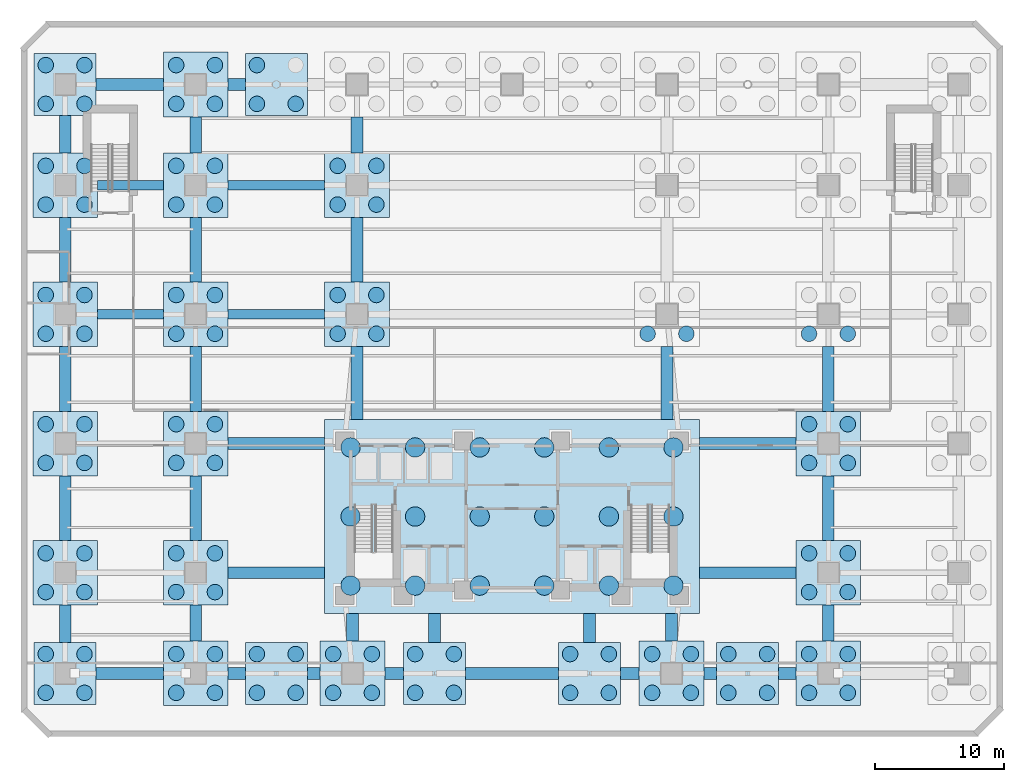
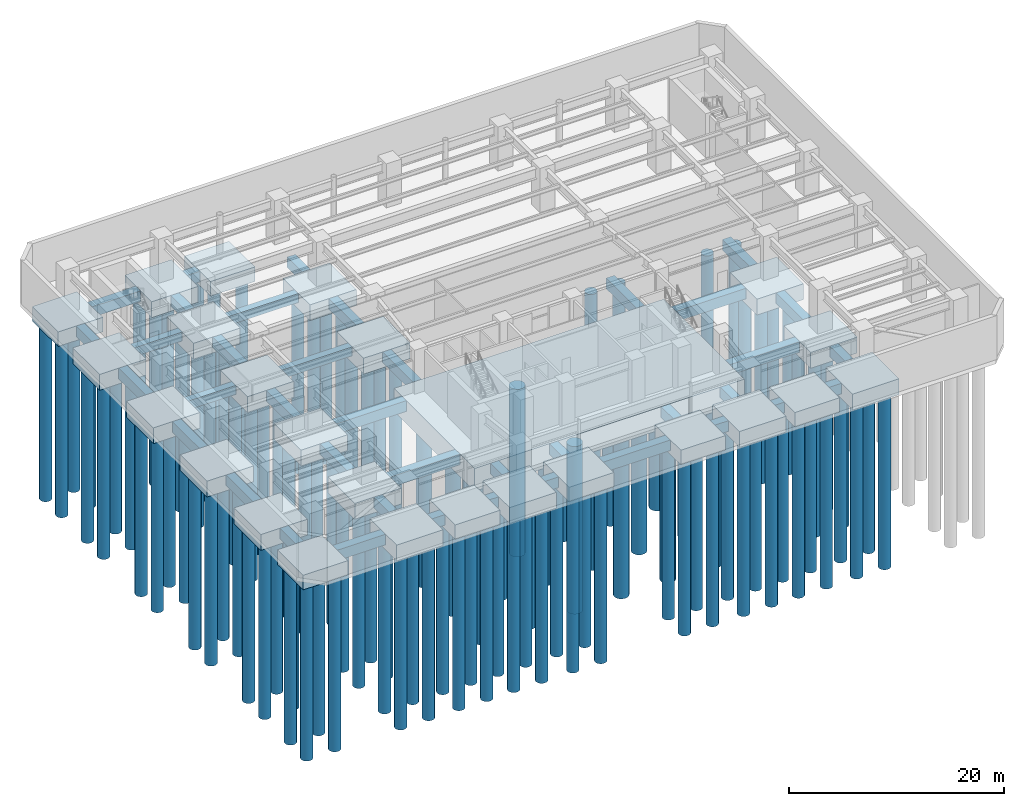
# One storey, part 1 of 15: 117 piles, 64 footings.
"""IFC4 building model written with IfcOpenShell, lengths in metres."""

from ifc_helpers import new_model, si_unit, direction, frame, origin, origin_2d, place, context, subcontext, project, spatial, rectangle, circle, extrude, material, material_profile, profile_set, type_object, element, save


model = new_model("IFC4")

# Units and contexts
model_context = context("Model", 3, precision=1e-05, world=origin(), true_north=direction((0.0, 1.0)))
body_context = subcontext(model_context, "Body", "Model", "MODEL_VIEW")
ifc_project = project(units=[si_unit("LENGTHUNIT", "METRE"), si_unit("AREAUNIT", "SQUARE_METRE"), si_unit("VOLUMEUNIT", "CUBIC_METRE"), si_unit("PLANEANGLEUNIT", "RADIAN"), si_unit("MASSUNIT", "GRAM", prefix="KILO")], contexts=[model_context])

# Site, building, storey
site_placement = place(None, origin())
site = spatial("IfcSite", under=ifc_project, at=site_placement, CompositionType="ELEMENT")
building_placement = place(site_placement, origin())
building = spatial("IfcBuilding", under=site, at=building_placement, Name="Quenlor Broadcast Tower", CompositionType="ELEMENT")
storey_placement = place(building_placement, frame((0.0, 0.0, -10.0)))
storey = spatial("IfcBuildingStorey", under=building, at=storey_placement, Name="B02", CompositionType="ELEMENT", Elevation=-10.0)

# Piles
ifc_material_1 = material(Name="Concrete C50/60", Category="concrete")
ifc_material_profile_1 = material_profile(ifc_material_1, circle(Radius=0.60009765625, at=origin_2d()))
ifc_profile_set_1 = profile_set([ifc_material_profile_1], Name="Concrete C50/60 PILE1200")
pile_type_1 = type_object("IfcPileType", Name="Bored Concrete C50/60 Foundation Pile D1200", PredefinedType="BORED", material=ifc_profile_set_1)
for number, where, z_axis, x_axis, name in (
    (1, (-36.10009765625, -24.300048828125, -2.0), (0.0, 0.0, -1.0), (1.0, 0.0, 0.0), "Bored Pile P2-001"),
    (2, (-36.10009765625, -21.300048828125, -2.0), (0.0, 0.0, -1.0), (1.0, 0.0, 0.0), "Bored Pile P2-002"),
    (3, (-33.10009765625, -24.300048828125, -2.0), (0.0, 0.0, -1.0), (1.0, 0.0, 0.0), "Bored Pile P2-003"),
    (4, (-33.10009765625, -21.300048828125, -2.0), (0.0, 0.0, -1.0), (1.0, 0.0, 0.0), "Bored Pile P2-004"),
):
    element("IfcPile", number, at=place(storey_placement, frame(where, z_axis=z_axis, x_axis=x_axis)), inside=storey, type_object=pile_type_1, Name=name, PredefinedType="BORED", context=body_context, shape_type="SweptSolid", body=[
        extrude(circle(Radius=0.60009765625, at=origin_2d()), origin(), (0.0, 0.0, 1.0), 20.0),
    ])
for number, where, z_axis, x_axis, name in (
    (5, (-26.0, -24.300048828125, -2.14990234375), (0.0, 0.0, -1.0), (1.0, 0.0, 0.0), "Bored Pile P2-005"),
    (6, (-26.0, -21.300048828125, -2.14990234375), (0.0, 0.0, -1.0), (1.0, 0.0, 0.0), "Bored Pile P2-006"),
    (7, (-23.0, -24.300048828125, -2.14990234375), (0.0, 0.0, -1.0), (1.0, 0.0, 0.0), "Bored Pile P2-007"),
    (8, (-23.0, -21.300048828125, -2.14990234375), (0.0, 0.0, -1.0), (1.0, 0.0, 0.0), "Bored Pile P2-008"),
    (9, (-13.85009765625, -24.300048828125, -2.14990234375), (0.0, 0.0, -1.0), (1.0, 0.0, 0.0), "Bored Pile P2-009"),
    (10, (-13.85009765625, -21.300048828125, -2.14990234375), (0.0, 0.0, -1.0), (1.0, 0.0, 0.0), "Bored Pile P2-010"),
    (11, (-10.85009765625, -24.300048828125, -2.14990234375), (0.0, 0.0, -1.0), (1.0, 0.0, 0.0), "Bored Pile P2-011"),
    (12, (-10.85009765625, -21.300048828125, -2.14990234375), (0.0, 0.0, -1.0), (1.0, 0.0, 0.0), "Bored Pile P2-012"),
    (13, (10.85009765625, -24.300048828125, -2.14990234375), (0.0, 0.0, -1.0), (1.0, 0.0, 0.0), "Bored Pile P2-013"),
    (14, (10.85009765625, -21.300048828125, -2.14990234375), (0.0, 0.0, -1.0), (1.0, 0.0, 0.0), "Bored Pile P2-014"),
    (15, (13.85009765625, -24.300048828125, -2.14990234375), (0.0, 0.0, -1.0), (1.0, 0.0, 0.0), "Bored Pile P2-015"),
    (16, (13.85009765625, -21.300048828125, -2.14990234375), (0.0, 0.0, -1.0), (1.0, 0.0, 0.0), "Bored Pile P2-016"),
    (17, (23.0, -24.300048828125, -2.14990234375), (0.0, 0.0, -1.0), (1.0, 0.0, 0.0), "Bored Pile P2-017"),
    (18, (23.0, -21.300048828125, -2.14990234375), (0.0, 0.0, -1.0), (1.0, 0.0, 0.0), "Bored Pile P2-018"),
    (19, (26.0, -24.300048828125, -2.14990234375), (0.0, 0.0, -1.0), (1.0, 0.0, 0.0), "Bored Pile P2-019"),
    (20, (26.0, -21.300048828125, -2.14990234375), (0.0, 0.0, -1.0), (1.0, 0.0, 0.0), "Bored Pile P2-020"),
    (21, (-36.10009765625, -16.5, -2.14990234375), (0.0, 0.0, -1.0), (1.0, 0.0, 0.0), "Bored Pile P2-025"),
    (22, (-36.10009765625, -13.5, -2.14990234375), (0.0, 0.0, -1.0), (1.0, 0.0, 0.0), "Bored Pile P2-026"),
    (23, (-33.10009765625, -16.5, -2.14990234375), (0.0, 0.0, -1.0), (1.0, 0.0, 0.0), "Bored Pile P2-027"),
    (24, (-33.10009765625, -13.5, -2.14990234375), (0.0, 0.0, -1.0), (1.0, 0.0, 0.0), "Bored Pile P2-028"),
    (25, (-26.0, -16.5, -2.14990234375), (0.0, 0.0, -1.0), (1.0, 0.0, 0.0), "Bored Pile P2-029"),
    (26, (-26.0, -13.5, -2.14990234375), (0.0, 0.0, -1.0), (1.0, 0.0, 0.0), "Bored Pile P2-030"),
    (27, (-23.0, -16.5, -2.14990234375), (0.0, 0.0, -1.0), (1.0, 0.0, 0.0), "Bored Pile P2-031"),
    (28, (-23.0, -13.5, -2.14990234375), (0.0, 0.0, -1.0), (1.0, 0.0, 0.0), "Bored Pile P2-032"),
    (29, (23.0, -16.5, -2.14990234375), (0.0, 0.0, -1.0), (1.0, 0.0, 0.0), "Bored Pile P2-033"),
    (30, (23.0, -13.5, -2.14990234375), (0.0, 0.0, -1.0), (1.0, 0.0, 0.0), "Bored Pile P2-034"),
    (31, (26.0, -16.5, -2.14990234375), (0.0, 0.0, -1.0), (1.0, 0.0, 0.0), "Bored Pile P2-035"),
    (32, (26.0, -13.5, -2.14990234375), (0.0, 0.0, -1.0), (1.0, 0.0, 0.0), "Bored Pile P2-036"),
    (33, (-36.10009765625, -6.5, -2.14990234375), (0.0, 0.0, -1.0), (1.0, 0.0, 0.0), "Bored Pile P2-041"),
    (34, (-36.10009765625, -3.5, -2.14990234375), (0.0, 0.0, -1.0), (1.0, 0.0, 0.0), "Bored Pile P2-042"),
    (35, (-33.10009765625, -6.5, -2.14990234375), (0.0, 0.0, -1.0), (1.0, 0.0, 0.0), "Bored Pile P2-043"),
    (36, (-33.10009765625, -3.5, -2.14990234375), (0.0, 0.0, -1.0), (1.0, 0.0, 0.0), "Bored Pile P2-044"),
    (37, (-26.0, -6.5, -2.14990234375), (0.0, 0.0, -1.0), (1.0, 0.0, 0.0), "Bored Pile P2-045"),
    (38, (-26.0, -3.5, -2.14990234375), (0.0, 0.0, -1.0), (1.0, 0.0, 0.0), "Bored Pile P2-046"),
    (39, (-23.0, -6.5, -2.14990234375), (0.0, 0.0, -1.0), (1.0, 0.0, 0.0), "Bored Pile P2-047"),
    (40, (-23.0, -3.5, -2.14990234375), (0.0, 0.0, -1.0), (1.0, 0.0, 0.0), "Bored Pile P2-048"),
    (41, (23.0, -6.5, -2.14990234375), (0.0, 0.0, -1.0), (1.0, 0.0, 0.0), "Bored Pile P2-049"),
    (42, (23.0, -3.5, -2.14990234375), (0.0, 0.0, -1.0), (1.0, 0.0, 0.0), "Bored Pile P2-050"),
    (43, (26.0, -6.5, -2.14990234375), (0.0, 0.0, -1.0), (1.0, 0.0, 0.0), "Bored Pile P2-051"),
    (44, (26.0, -3.5, -2.14990234375), (0.0, 0.0, -1.0), (1.0, 0.0, 0.0), "Bored Pile P2-052"),
    (45, (-36.10009765625, 3.5, -2.14990234375), (0.0, 0.0, -1.0), (1.0, 0.0, 0.0), "Bored Pile P2-057"),
    (46, (-36.10009765625, 6.5, -2.14990234375), (0.0, 0.0, -1.0), (1.0, 0.0, 0.0), "Bored Pile P2-058"),
    (47, (-33.10009765625, 3.5, -2.14990234375), (0.0, 0.0, -1.0), (1.0, 0.0, 0.0), "Bored Pile P2-059"),
    (48, (-33.10009765625, 6.5, -2.14990234375), (0.0, 0.0, -1.0), (1.0, 0.0, 0.0), "Bored Pile P2-060"),
    (49, (-26.0, 3.5, -2.14990234375), (0.0, 0.0, -1.0), (1.0, 0.0, 0.0), "Bored Pile P2-061"),
    (50, (-26.0, 6.5, -2.14990234375), (0.0, 0.0, -1.0), (1.0, 0.0, 0.0), "Bored Pile P2-062"),
    (51, (-23.0, 3.5, -2.14990234375), (0.0, 0.0, -1.0), (1.0, 0.0, 0.0), "Bored Pile P2-063"),
    (52, (-23.0, 6.5, -2.14990234375), (0.0, 0.0, -1.0), (1.0, 0.0, 0.0), "Bored Pile P2-064"),
    (53, (-13.5, 3.5, -2.14990234375), (0.0, 0.0, -1.0), (1.0, 0.0, 0.0), "Bored Pile P2-065"),
    (54, (-13.5, 6.5, -2.14990234375), (0.0, 0.0, -1.0), (1.0, 0.0, 0.0), "Bored Pile P2-066"),
    (55, (-10.5, 3.5, -2.14990234375), (0.0, 0.0, -1.0), (1.0, 0.0, 0.0), "Bored Pile P2-067"),
    (56, (-10.5, 6.5, -2.14990234375), (0.0, 0.0, -1.0), (1.0, 0.0, 0.0), "Bored Pile P2-068"),
    (57, (10.5, 3.5, -2.14990234375), (0.0, 0.0, -1.0), (1.0, 0.0, 0.0), "Bored Pile P2-069"),
    (58, (13.5, 3.5, -2.14990234375), (0.0, 0.0, -1.0), (1.0, 0.0, 0.0), "Bored Pile P2-071"),
    (59, (23.0, 3.5, -2.14990234375), (0.0, 0.0, -1.0), (1.0, 0.0, 0.0), "Bored Pile P2-073"),
    (60, (26.0, 3.5, -2.14990234375), (0.0, 0.0, -1.0), (1.0, 0.0, 0.0), "Bored Pile P2-075"),
    (61, (-36.10009765625, 13.5, -2.14990234375), (0.0, 0.0, -1.0), (1.0, 0.0, 0.0), "Bored Pile P2-081"),
    (62, (-36.10009765625, 16.5, -2.14990234375), (0.0, 0.0, -1.0), (1.0, 0.0, 0.0), "Bored Pile P2-082"),
    (63, (-33.10009765625, 13.5, -2.14990234375), (0.0, 0.0, -1.0), (1.0, 0.0, 0.0), "Bored Pile P2-083"),
    (64, (-33.10009765625, 16.5, -2.14990234375), (0.0, 0.0, -1.0), (1.0, 0.0, 0.0), "Bored Pile P2-084"),
    (65, (-26.0, 13.5, -2.14990234375), (0.0, 0.0, -1.0), (1.0, 0.0, 0.0), "Bored Pile P2-085"),
    (66, (-26.0, 16.5, -2.14990234375), (0.0, 0.0, -1.0), (1.0, 0.0, 0.0), "Bored Pile P2-086"),
    (67, (-23.0, 13.5, -2.14990234375), (0.0, 0.0, -1.0), (1.0, 0.0, 0.0), "Bored Pile P2-087"),
    (68, (-23.0, 16.5, -2.14990234375), (0.0, 0.0, -1.0), (1.0, 0.0, 0.0), "Bored Pile P2-088"),
    (69, (-13.5, 13.5, -2.14990234375), (0.0, 0.0, -1.0), (1.0, 0.0, 0.0), "Bored Pile P2-089"),
    (70, (-13.5, 16.5, -2.14990234375), (0.0, 0.0, -1.0), (1.0, 0.0, 0.0), "Bored Pile P2-090"),
    (71, (-10.5, 13.5, -2.14990234375), (0.0, 0.0, -1.0), (1.0, 0.0, 0.0), "Bored Pile P2-091"),
    (72, (-10.5, 16.5, -2.14990234375), (0.0, 0.0, -1.0), (1.0, 0.0, 0.0), "Bored Pile P2-092"),
):
    element("IfcPile", number, at=place(storey_placement, frame(where, z_axis=z_axis, x_axis=x_axis)), inside=storey, type_object=pile_type_1, Name=name, PredefinedType="BORED", context=body_context, shape_type="SweptSolid", body=[
        extrude(circle(Radius=0.60009765625, at=origin_2d()), origin(), (0.0, 0.0, 1.0), 19.85009765625),
    ])
for number, where, z_axis, x_axis, name in (
    (73, (-36.10009765625, 21.300048828125, -2.0), (0.0, 0.0, -1.0), (1.0, 0.0, 0.0), "Bored Pile P2-105"),
    (74, (-36.10009765625, 24.300048828125, -2.0), (0.0, 0.0, -1.0), (1.0, 0.0, 0.0), "Bored Pile P2-106"),
    (75, (-33.10009765625, 21.300048828125, -2.0), (0.0, 0.0, -1.0), (1.0, 0.0, 0.0), "Bored Pile P2-107"),
    (76, (-33.10009765625, 24.300048828125, -2.0), (0.0, 0.0, -1.0), (1.0, 0.0, 0.0), "Bored Pile P2-108"),
):
    element("IfcPile", number, at=place(storey_placement, frame(where, z_axis=z_axis, x_axis=x_axis)), inside=storey, type_object=pile_type_1, Name=name, PredefinedType="BORED", context=body_context, shape_type="SweptSolid", body=[
        extrude(circle(Radius=0.60009765625, at=origin_2d()), origin(), (0.0, 0.0, 1.0), 20.0),
    ])
for number, where, z_axis, x_axis, name in (
    (77, (-26.0, 21.300048828125, -2.14990234375), (0.0, 0.0, -1.0), (1.0, 0.0, 0.0), "Bored Pile P2-109"),
    (78, (-26.0, 24.300048828125, -2.14990234375), (0.0, 0.0, -1.0), (1.0, 0.0, 0.0), "Bored Pile P2-110"),
    (79, (-23.0, 21.300048828125, -2.14990234375), (0.0, 0.0, -1.0), (1.0, 0.0, 0.0), "Bored Pile P2-111"),
    (80, (-23.0, 24.300048828125, -2.14990234375), (0.0, 0.0, -1.0), (1.0, 0.0, 0.0), "Bored Pile P2-112"),
):
    element("IfcPile", number, at=place(storey_placement, frame(where, z_axis=z_axis, x_axis=x_axis)), inside=storey, type_object=pile_type_1, Name=name, PredefinedType="BORED", context=body_context, shape_type="SweptSolid", body=[
        extrude(circle(Radius=0.60009765625, at=origin_2d()), origin(), (0.0, 0.0, 1.0), 19.85009765625),
    ])
for number, where, z_axis, x_axis, name in (
    (81, (-19.75, 21.300048828125, -2.0), (0.0, 0.0, -1.0), (1.0, 0.0, 0.0), "Bored Pile P2-133"),
    (82, (-19.75, 24.300048828125, -2.0), (0.0, 0.0, -1.0), (1.0, 0.0, 0.0), "Bored Pile P2-134"),
    (83, (-16.75, 21.300048828125, -2.0), (0.0, 0.0, -1.0), (1.0, 0.0, 0.0), "Bored Pile P2-135"),
    (84, (-19.75, -24.300048828125, -2.0), (0.0, 0.0, -1.0), (1.0, 0.0, 0.0), "Bored Pile P2-149"),
    (85, (-19.75, -21.300048828125, -2.0), (0.0, 0.0, -1.0), (1.0, 0.0, 0.0), "Bored Pile P2-150"),
    (86, (-16.75, -24.300048828125, -2.0), (0.0, 0.0, -1.0), (1.0, 0.0, 0.0), "Bored Pile P2-151"),
    (87, (-16.75, -21.300048828125, -2.0), (0.0, 0.0, -1.0), (1.0, 0.0, 0.0), "Bored Pile P2-152"),
    (88, (16.75, -24.300048828125, -2.0), (0.0, 0.0, -1.0), (1.0, 0.0, 0.0), "Bored Pile P2-153"),
    (89, (16.75, -21.300048828125, -2.0), (0.0, 0.0, -1.0), (1.0, 0.0, 0.0), "Bored Pile P2-154"),
    (90, (19.75, -24.300048828125, -2.0), (0.0, 0.0, -1.0), (1.0, 0.0, 0.0), "Bored Pile P2-155"),
    (91, (19.75, -21.300048828125, -2.0), (0.0, 0.0, -1.0), (1.0, 0.0, 0.0), "Bored Pile P2-156"),
    (92, (-7.5, -24.300048828125, -2.0), (0.0, 0.0, -1.0), (1.0, 0.0, 0.0), "Bored Pile P2-157"),
    (93, (-7.5, -21.300048828125, -2.0), (0.0, 0.0, -1.0), (1.0, 0.0, 0.0), "Bored Pile P2-158"),
    (94, (-4.5, -24.300048828125, -2.0), (0.0, 0.0, -1.0), (1.0, 0.0, 0.0), "Bored Pile P2-159"),
    (95, (-4.5, -21.300048828125, -2.0), (0.0, 0.0, -1.0), (1.0, 0.0, 0.0), "Bored Pile P2-160"),
    (96, (4.5, -24.300048828125, -2.0), (0.0, 0.0, -1.0), (1.0, 0.0, 0.0), "Bored Pile P2-161"),
    (97, (4.5, -21.300048828125, -2.0), (0.0, 0.0, -1.0), (1.0, 0.0, 0.0), "Bored Pile P2-162"),
    (98, (7.5, -24.300048828125, -2.0), (0.0, 0.0, -1.0), (1.0, 0.0, 0.0), "Bored Pile P2-163"),
    (99, (7.5, -21.300048828125, -2.0), (0.0, 0.0, -1.0), (1.0, 0.0, 0.0), "Bored Pile P2-164"),
):
    element("IfcPile", number, at=place(storey_placement, frame(where, z_axis=z_axis, x_axis=x_axis)), inside=storey, type_object=pile_type_1, Name=name, PredefinedType="BORED", context=body_context, shape_type="SweptSolid", body=[
        extrude(circle(Radius=0.60009765625, at=origin_2d()), origin(), (0.0, 0.0, 1.0), 20.0),
    ])

# Footings
ifc_material_2 = material(Name="Concrete C50/60", Category="concrete")
footing_type_1 = type_object("IfcFootingType", Name="Core Piled Raft Concrete C50/60 Footing 2600", PredefinedType="PAD_FOOTING", material=ifc_material_2)
footing_1_placement = place(storey_placement, frame((0.0, -10.64990234375, -3.050048828125), z_axis=(0.0, 0.0, 1.0), x_axis=(1.0, 0.0, 0.0)))
element("IfcFooting", 100, at=footing_1_placement, inside=storey, type_object=footing_type_1, Name="Core Piled Raft RF-1", PredefinedType="PAD_FOOTING", context=body_context, shape_type="SweptSolid", body=[
    extrude(rectangle(XDim=29.0, YDim=15.0, at=origin_2d()), origin(), (0.0, 0.0, 1.0), 2.60009765625),
])
ifc_material_3 = material(Name="Concrete C50/60", Category="concrete")
footing_type_2 = type_object("IfcFootingType", Name="Mega Column Concrete C50/60 Pile Cap 5000x5000x1800", PredefinedType="PILE_CAP", material=ifc_material_3)
for number, where, z_axis, x_axis, name in (
    (101, (-24.5, -22.800048828125, -2.25), (0.0, 0.0, 1.0), (1.0, 0.0, 0.0), "Pile Cap PM2"),
    (102, (-12.35009765625, -22.800048828125, -2.25), (0.0, 0.0, 1.0), (1.0, 0.0, 0.0), "Pile Cap PM3"),
    (103, (12.35009765625, -22.800048828125, -2.25), (0.0, 0.0, 1.0), (1.0, 0.0, 0.0), "Pile Cap PM4"),
    (104, (24.5, -22.800048828125, -2.25), (0.0, 0.0, 1.0), (1.0, 0.0, 0.0), "Pile Cap PM5"),
    (105, (-34.60009765625, -15.0, -2.25), (0.0, 0.0, 1.0), (1.0, 0.0, 0.0), "Pile Cap PM7"),
    (106, (-24.5, -15.0, -2.25), (0.0, 0.0, 1.0), (1.0, 0.0, 0.0), "Pile Cap PM8"),
    (107, (24.5, -15.0, -2.25), (0.0, 0.0, 1.0), (1.0, 0.0, 0.0), "Pile Cap PM9"),
    (108, (-34.60009765625, -5.0, -2.25), (0.0, 0.0, 1.0), (1.0, 0.0, 0.0), "Pile Cap PM11"),
    (109, (-24.5, -5.0, -2.25), (0.0, 0.0, 1.0), (1.0, 0.0, 0.0), "Pile Cap PM12"),
    (110, (24.5, -5.0, -2.25), (0.0, 0.0, 1.0), (1.0, 0.0, 0.0), "Pile Cap PM13"),
    (111, (-34.60009765625, 5.0, -2.25), (0.0, 0.0, 1.0), (1.0, 0.0, 0.0), "Pile Cap PM15"),
    (112, (-24.5, 5.0, -2.25), (0.0, 0.0, 1.0), (1.0, 0.0, 0.0), "Pile Cap PM16"),
    (113, (-12.0, 5.0, -2.25), (0.0, 0.0, 1.0), (1.0, 0.0, 0.0), "Pile Cap PM17"),
    (114, (-34.60009765625, 15.0, -2.25), (0.0, 0.0, 1.0), (1.0, 0.0, 0.0), "Pile Cap PM21"),
    (115, (-24.5, 15.0, -2.25), (0.0, 0.0, 1.0), (1.0, 0.0, 0.0), "Pile Cap PM22"),
    (116, (-12.0, 15.0, -2.25), (0.0, 0.0, 1.0), (1.0, 0.0, 0.0), "Pile Cap PM23"),
    (117, (-24.5, 22.800048828125, -2.25), (0.0, 0.0, 1.0), (1.0, 0.0, 0.0), "Pile Cap PM28"),
):
    element("IfcFooting", number, at=place(storey_placement, frame(where, z_axis=z_axis, x_axis=x_axis)), inside=storey, type_object=footing_type_2, Name=name, PredefinedType="PILE_CAP", context=body_context, shape_type="SweptSolid", body=[
        extrude(rectangle(XDim=5.0, YDim=5.0, at=origin_2d()), origin(), (0.0, 0.0, 1.0), 1.800048828125),
    ])
ifc_material_4 = material(Name="Concrete C50/60", Category="concrete")
footing_type_3 = type_object("IfcFootingType", Name="Perimeter Column Concrete C50/60 Pile Cap 4800x4800x1650", PredefinedType="PILE_CAP", material=ifc_material_4)
for number, where, z_axis, x_axis, name in (
    (118, (-34.60009765625, -22.800048828125, -2.099853515625), (0.0, 0.0, 1.0), (1.0, 0.0, 0.0), "Pile Cap PM1"),
    (119, (-34.60009765625, 22.800048828125, -2.099853515625), (0.0, 0.0, 1.0), (1.0, 0.0, 0.0), "Pile Cap PM27"),
    (120, (-18.25, 22.800048828125, -2.099853515625), (0.0, 0.0, 1.0), (1.0, 0.0, 0.0), "Pile Cap SCW1"),
    (121, (-18.25, -22.800048828125, -2.099853515625), (0.0, 0.0, 1.0), (1.0, 0.0, 0.0), "Pile Cap SPW1"),
    (122, (18.25, -22.800048828125, -2.099853515625), (0.0, 0.0, 1.0), (1.0, 0.0, 0.0), "Pile Cap SPE1"),
    (123, (-6.0, -22.800048828125, -2.099853515625), (0.0, 0.0, 1.0), (1.0, 0.0, 0.0), "Pile Cap SPW2"),
    (124, (6.0, -22.800048828125, -2.099853515625), (0.0, 0.0, 1.0), (1.0, 0.0, 0.0), "Pile Cap SPE2"),
):
    element("IfcFooting", number, at=place(storey_placement, frame(where, z_axis=z_axis, x_axis=x_axis)), inside=storey, type_object=footing_type_3, Name=name, PredefinedType="PILE_CAP", context=body_context, shape_type="SweptSolid", body=[
        extrude(rectangle(XDim=4.800048828125, YDim=4.800048828125, at=origin_2d()), origin(), (0.0, 0.0, 1.0), 1.64990234375),
    ])
ifc_material_5 = material(Name="Concrete C50/60", Category="concrete")
footing_type_4 = type_object("IfcFootingType", Name="Reinforced Concrete C50/60 Grade Beam 900x1200", PredefinedType="FOOTING_BEAM", material=ifc_material_5)
footing_2_placement = place(storey_placement, frame((-29.60009765625, -22.800048828125, -1.64990234375), z_axis=(0.0, 0.0, 1.0), x_axis=(1.0, 0.0, 0.0)))
element("IfcFooting", 125, at=footing_2_placement, inside=storey, type_object=footing_type_4, Name="Grade Beam GB-01", PredefinedType="FOOTING_BEAM", context=body_context, shape_type="SweptSolid", body=[
    extrude(rectangle(XDim=5.199951171875, YDim=0.89990234375, at=origin_2d()), origin(), (0.0, 0.0, 1.0), 1.199951171875),
])
footing_3_placement = place(storey_placement, frame((-21.324951171875, -22.800048828125, -1.64990234375), z_axis=(0.0, 0.0, 1.0), x_axis=(1.0, 0.0, 0.0)))
element("IfcFooting", 126, at=footing_3_placement, inside=storey, type_object=footing_type_4, Name="Grade Beam GB-02", PredefinedType="FOOTING_BEAM", context=body_context, shape_type="SweptSolid", body=[
    extrude(rectangle(XDim=1.35009765625, YDim=0.89990234375, at=origin_2d()), origin(), (0.0, 0.0, 1.0), 1.199951171875),
])
footing_4_placement = place(storey_placement, frame((-15.35009765625, -22.800048828125, -1.64990234375), z_axis=(0.0, 0.0, 1.0), x_axis=(1.0, 0.0, 0.0)))
element("IfcFooting", 127, at=footing_4_placement, inside=storey, type_object=footing_type_4, Name="Grade Beam GB-03", PredefinedType="FOOTING_BEAM", context=body_context, shape_type="SweptSolid", body=[
    extrude(rectangle(XDim=1.0, YDim=0.89990234375, at=origin_2d()), origin(), (0.0, 0.0, 1.0), 1.199951171875),
])
footing_5_placement = place(storey_placement, frame((-9.125, -22.800048828125, -1.64990234375), z_axis=(0.0, 0.0, 1.0), x_axis=(1.0, 0.0, 0.0)))
element("IfcFooting", 128, at=footing_5_placement, inside=storey, type_object=footing_type_4, Name="Grade Beam GB-04", PredefinedType="FOOTING_BEAM", context=body_context, shape_type="SweptSolid", body=[
    extrude(rectangle(XDim=1.449951171875, YDim=0.89990234375, at=origin_2d()), origin(), (0.0, 0.0, 1.0), 1.199951171875),
])
footing_6_placement = place(storey_placement, frame((0.0, -22.800048828125, -1.64990234375), z_axis=(0.0, 0.0, 1.0), x_axis=(1.0, 0.0, 0.0)))
element("IfcFooting", 129, at=footing_6_placement, inside=storey, type_object=footing_type_4, Name="Grade Beam GB-05", PredefinedType="FOOTING_BEAM", context=body_context, shape_type="SweptSolid", body=[
    extrude(rectangle(XDim=7.199951171875, YDim=0.89990234375, at=origin_2d()), origin(), (0.0, 0.0, 1.0), 1.199951171875),
])
footing_7_placement = place(storey_placement, frame((9.125, -22.800048828125, -1.64990234375), z_axis=(0.0, 0.0, 1.0), x_axis=(1.0, 0.0, 0.0)))
element("IfcFooting", 130, at=footing_7_placement, inside=storey, type_object=footing_type_4, Name="Grade Beam GB-06", PredefinedType="FOOTING_BEAM", context=body_context, shape_type="SweptSolid", body=[
    extrude(rectangle(XDim=1.449951171875, YDim=0.89990234375, at=origin_2d()), origin(), (0.0, 0.0, 1.0), 1.199951171875),
])
footing_8_placement = place(storey_placement, frame((15.35009765625, -22.800048828125, -1.64990234375), z_axis=(0.0, 0.0, 1.0), x_axis=(1.0, 0.0, 0.0)))
element("IfcFooting", 131, at=footing_8_placement, inside=storey, type_object=footing_type_4, Name="Grade Beam GB-07", PredefinedType="FOOTING_BEAM", context=body_context, shape_type="SweptSolid", body=[
    extrude(rectangle(XDim=1.0, YDim=0.89990234375, at=origin_2d()), origin(), (0.0, 0.0, 1.0), 1.199951171875),
])
footing_9_placement = place(storey_placement, frame((21.324951171875, -22.800048828125, -1.64990234375), z_axis=(0.0, 0.0, 1.0), x_axis=(1.0, 0.0, 0.0)))
element("IfcFooting", 132, at=footing_9_placement, inside=storey, type_object=footing_type_4, Name="Grade Beam GB-08", PredefinedType="FOOTING_BEAM", context=body_context, shape_type="SweptSolid", body=[
    extrude(rectangle(XDim=1.35009765625, YDim=0.89990234375, at=origin_2d()), origin(), (0.0, 0.0, 1.0), 1.199951171875),
])
footing_10_placement = place(storey_placement, frame((-29.60009765625, 22.800048828125, -1.64990234375), z_axis=(0.0, 0.0, 1.0), x_axis=(1.0, 0.0, 0.0)))
element("IfcFooting", 133, at=footing_10_placement, inside=storey, type_object=footing_type_4, Name="Grade Beam GB-15", PredefinedType="FOOTING_BEAM", context=body_context, shape_type="SweptSolid", body=[
    extrude(rectangle(XDim=5.199951171875, YDim=0.89990234375, at=origin_2d()), origin(), (0.0, 0.0, 1.0), 1.199951171875),
])
footing_11_placement = place(storey_placement, frame((-21.324951171875, 22.800048828125, -1.64990234375), z_axis=(0.0, 0.0, 1.0), x_axis=(1.0, 0.0, 0.0)))
element("IfcFooting", 134, at=footing_11_placement, inside=storey, type_object=footing_type_4, Name="Grade Beam GB-16", PredefinedType="FOOTING_BEAM", context=body_context, shape_type="SweptSolid", body=[
    extrude(rectangle(XDim=1.35009765625, YDim=0.89990234375, at=origin_2d()), origin(), (0.0, 0.0, 1.0), 1.199951171875),
])
footing_12_placement = place(storey_placement, frame((-34.60009765625, -18.949951171875, -1.64990234375), z_axis=(0.0, 0.0, 1.0), x_axis=(0.0, 1.0, 0.0)))
element("IfcFooting", 135, at=footing_12_placement, inside=storey, type_object=footing_type_4, Name="Grade Beam GB-25", PredefinedType="FOOTING_BEAM", context=body_context, shape_type="SweptSolid", body=[
    extrude(rectangle(XDim=2.89990234375, YDim=0.89990234375, at=origin_2d()), origin(), (0.0, 0.0, 1.0), 1.199951171875),
])
for number, where, z_axis, x_axis, name in (
    (136, (-34.60009765625, -10.0, -1.64990234375), (0.0, 0.0, 1.0), (0.0, 1.0, 0.0), "Grade Beam GB-26"),
    (137, (-34.60009765625, 0.0, -1.64990234375), (0.0, 0.0, 1.0), (0.0, 1.0, 0.0), "Grade Beam GB-27"),
    (138, (-34.60009765625, 10.0, -1.64990234375), (0.0, 0.0, 1.0), (0.0, 1.0, 0.0), "Grade Beam GB-28"),
):
    element("IfcFooting", number, at=place(storey_placement, frame(where, z_axis=z_axis, x_axis=x_axis)), inside=storey, type_object=footing_type_4, Name=name, PredefinedType="FOOTING_BEAM", context=body_context, shape_type="SweptSolid", body=[
        extrude(rectangle(XDim=5.0, YDim=0.89990234375, at=origin_2d()), origin(), (0.0, 0.0, 1.0), 1.199951171875),
    ])
footing_13_placement = place(storey_placement, frame((-34.60009765625, 18.949951171875, -1.64990234375), z_axis=(0.0, 0.0, 1.0), x_axis=(0.0, 1.0, 0.0)))
element("IfcFooting", 139, at=footing_13_placement, inside=storey, type_object=footing_type_4, Name="Grade Beam GB-29", PredefinedType="FOOTING_BEAM", context=body_context, shape_type="SweptSolid", body=[
    extrude(rectangle(XDim=2.89990234375, YDim=0.89990234375, at=origin_2d()), origin(), (0.0, 0.0, 1.0), 1.199951171875),
])
for number, where, z_axis, x_axis, name in (
    (140, (-24.5, -10.0, -1.64990234375), (0.0, 0.0, 1.0), (0.0, 1.0, 0.0), "Grade Beam GB-30"),
    (141, (-24.5, 0.0, -1.64990234375), (0.0, 0.0, 1.0), (0.0, 1.0, 0.0), "Grade Beam GB-31"),
    (142, (-24.5, 10.0, -1.64990234375), (0.0, 0.0, 1.0), (0.0, 1.0, 0.0), "Grade Beam GB-32"),
):
    element("IfcFooting", number, at=place(storey_placement, frame(where, z_axis=z_axis, x_axis=x_axis)), inside=storey, type_object=footing_type_4, Name=name, PredefinedType="FOOTING_BEAM", context=body_context, shape_type="SweptSolid", body=[
        extrude(rectangle(XDim=5.0, YDim=0.89990234375, at=origin_2d()), origin(), (0.0, 0.0, 1.0), 1.199951171875),
    ])
for number, where, z_axis, x_axis, name in (
    (143, (-24.5, 18.89990234375, -1.64990234375), (0.0, 0.0, 1.0), (0.0, 1.0, 0.0), "Grade Beam GB-33"),
    (144, (-24.5, -18.89990234375, -1.64990234375), (0.0, 0.0, 1.0), (0.0, 1.0, 0.0), "Grade Beam GB-34"),
    (145, (24.5, -18.89990234375, -1.64990234375), (0.0, 0.0, 1.0), (0.0, 1.0, 0.0), "Grade Beam GB-35"),
):
    element("IfcFooting", number, at=place(storey_placement, frame(where, z_axis=z_axis, x_axis=x_axis)), inside=storey, type_object=footing_type_4, Name=name, PredefinedType="FOOTING_BEAM", context=body_context, shape_type="SweptSolid", body=[
        extrude(rectangle(XDim=2.800048828125, YDim=0.89990234375, at=origin_2d()), origin(), (0.0, 0.0, 1.0), 1.199951171875),
    ])
for number, where, z_axis, x_axis, name in (
    (146, (24.5, -10.0, -1.64990234375), (0.0, 0.0, 1.0), (0.0, 1.0, 0.0), "Grade Beam GB-36"),
    (147, (24.5, 0.0, -1.64990234375), (0.0, 0.0, 1.0), (0.0, 1.0, 0.0), "Grade Beam GB-37"),
    (148, (-12.0, 10.0, -1.64990234375), (0.0, 0.0, 1.0), (0.0, 1.0, 0.0), "Grade Beam GB-50"),
):
    element("IfcFooting", number, at=place(storey_placement, frame(where, z_axis=z_axis, x_axis=x_axis)), inside=storey, type_object=footing_type_4, Name=name, PredefinedType="FOOTING_BEAM", context=body_context, shape_type="SweptSolid", body=[
        extrude(rectangle(XDim=5.0, YDim=0.89990234375, at=origin_2d()), origin(), (0.0, 0.0, 1.0), 1.199951171875),
    ])
footing_14_placement = place(storey_placement, frame((-12.0, 18.89990234375, -1.64990234375), z_axis=(0.0, 0.0, 1.0), x_axis=(0.0, 1.0, 0.0)))
element("IfcFooting", 149, at=footing_14_placement, inside=storey, type_object=footing_type_4, Name="Grade Beam GB-51", PredefinedType="FOOTING_BEAM", context=body_context, shape_type="SweptSolid", body=[
    extrude(rectangle(XDim=2.800048828125, YDim=0.89990234375, at=origin_2d()), origin(), (0.0, 0.0, 1.0), 1.199951171875),
])
for number, where, z_axis, x_axis, name in (
    (150, (-12.35009765625, -19.22509765625, -1.64990234375), (0.0, 0.0, 1.0), (0.0, 1.0, 0.0), "Core Tie Grade Beam GB-54"),
    (151, (12.35009765625, -19.22509765625, -1.64990234375), (0.0, 0.0, 1.0), (0.0, 1.0, 0.0), "Core Tie Grade Beam GB-55"),
):
    element("IfcFooting", number, at=place(storey_placement, frame(where, z_axis=z_axis, x_axis=x_axis)), inside=storey, type_object=footing_type_4, Name=name, PredefinedType="FOOTING_BEAM", context=body_context, shape_type="SweptSolid", body=[
        extrude(rectangle(XDim=2.14990234375, YDim=0.89990234375, at=origin_2d()), origin(), (0.0, 0.0, 1.0), 1.199951171875),
    ])
for number, where, z_axis, x_axis, name in (
    (152, (-6.0, -19.27490234375, -1.64990234375), (0.0, 0.0, 1.0), (0.0, 1.0, 0.0), "Core Tie Grade Beam GB-56"),
    (153, (6.0, -19.27490234375, -1.64990234375), (0.0, 0.0, 1.0), (0.0, 1.0, 0.0), "Core Tie Grade Beam GB-57"),
):
    element("IfcFooting", number, at=place(storey_placement, frame(where, z_axis=z_axis, x_axis=x_axis)), inside=storey, type_object=footing_type_4, Name=name, PredefinedType="FOOTING_BEAM", context=body_context, shape_type="SweptSolid", body=[
        extrude(rectangle(XDim=2.25, YDim=0.89990234375, at=origin_2d()), origin(), (0.0, 0.0, 1.0), 1.199951171875),
    ])
for number, where, z_axis, x_axis, name in (
    (154, (-12.0, -0.324951171875, -1.64990234375), (0.0, 0.0, 1.0), (0.0, -1.0, 0.0), "Core Tie Grade Beam GB-58"),
    (155, (12.0, -0.324951171875, -1.64990234375), (0.0, 0.0, 1.0), (0.0, -1.0, 0.0), "Core Tie Grade Beam GB-59"),
):
    element("IfcFooting", number, at=place(storey_placement, frame(where, z_axis=z_axis, x_axis=x_axis)), inside=storey, type_object=footing_type_4, Name=name, PredefinedType="FOOTING_BEAM", context=body_context, shape_type="SweptSolid", body=[
        extrude(rectangle(XDim=5.64990234375, YDim=0.89990234375, at=origin_2d()), origin(), (0.0, 0.0, 1.0), 1.199951171875),
    ])
for number, where, z_axis, x_axis, name in (
    (156, (-18.25, -15.0, -1.64990234375), (0.0, 0.0, 1.0), (1.0, 0.0, 0.0), "Core Tie Grade Beam GB-60"),
    (157, (18.25, -15.0, -1.64990234375), (0.0, 0.0, 1.0), (-1.0, 0.0, 0.0), "Core Tie Grade Beam GB-61"),
    (158, (-18.25, -5.0, -1.64990234375), (0.0, 0.0, 1.0), (1.0, 0.0, 0.0), "Core Tie Grade Beam GB-62"),
    (159, (18.25, -5.0, -1.64990234375), (0.0, 0.0, 1.0), (-1.0, 0.0, 0.0), "Core Tie Grade Beam GB-63"),
):
    element("IfcFooting", number, at=place(storey_placement, frame(where, z_axis=z_axis, x_axis=x_axis)), inside=storey, type_object=footing_type_4, Name=name, PredefinedType="FOOTING_BEAM", context=body_context, shape_type="SweptSolid", body=[
        extrude(rectangle(XDim=7.5, YDim=0.89990234375, at=origin_2d()), origin(), (0.0, 0.0, 1.0), 1.199951171875),
    ])
ifc_material_6 = material(Name="Concrete C50/60", Category="concrete")
footing_type_5 = type_object("IfcFootingType", Name="Reinforced Concrete C50/60 Tie Footing Beam 750x1000", PredefinedType="FOOTING_BEAM", material=ifc_material_6)
footing_15_placement = place(storey_placement, frame((-29.550048828125, 5.0, -1.449951171875), z_axis=(0.0, 0.0, 1.0), x_axis=(1.0, 0.0, 0.0)))
element("IfcFooting", 160, at=footing_15_placement, inside=storey, type_object=footing_type_5, Name="Grade Beam GB-40", PredefinedType="FOOTING_BEAM", context=body_context, shape_type="SweptSolid", body=[
    extrude(rectangle(XDim=5.10009765625, YDim=0.75, at=origin_2d()), origin(), (0.0, 0.0, 1.0), 1.0),
])
footing_16_placement = place(storey_placement, frame((-18.25, 5.0, -1.449951171875), z_axis=(0.0, 0.0, 1.0), x_axis=(1.0, 0.0, 0.0)))
element("IfcFooting", 161, at=footing_16_placement, inside=storey, type_object=footing_type_5, Name="Grade Beam GB-41", PredefinedType="FOOTING_BEAM", context=body_context, shape_type="SweptSolid", body=[
    extrude(rectangle(XDim=7.5, YDim=0.75, at=origin_2d()), origin(), (0.0, 0.0, 1.0), 1.0),
])
footing_17_placement = place(storey_placement, frame((-29.550048828125, 15.0, -1.449951171875), z_axis=(0.0, 0.0, 1.0), x_axis=(1.0, 0.0, 0.0)))
element("IfcFooting", 162, at=footing_17_placement, inside=storey, type_object=footing_type_5, Name="Grade Beam GB-45", PredefinedType="FOOTING_BEAM", context=body_context, shape_type="SweptSolid", body=[
    extrude(rectangle(XDim=5.10009765625, YDim=0.75, at=origin_2d()), origin(), (0.0, 0.0, 1.0), 1.0),
])
footing_18_placement = place(storey_placement, frame((-18.25, 15.0, -1.449951171875), z_axis=(0.0, 0.0, 1.0), x_axis=(1.0, 0.0, 0.0)))
element("IfcFooting", 163, at=footing_18_placement, inside=storey, type_object=footing_type_5, Name="Grade Beam GB-46", PredefinedType="FOOTING_BEAM", context=body_context, shape_type="SweptSolid", body=[
    extrude(rectangle(XDim=7.5, YDim=0.75, at=origin_2d()), origin(), (0.0, 0.0, 1.0), 1.0),
])

# Piles
ifc_material_7 = material(Name="Concrete C50/60", Category="concrete")
ifc_material_profile_2 = material_profile(ifc_material_7, circle(Radius=0.75, at=origin_2d()))
ifc_profile_set_2 = profile_set([ifc_material_profile_2], Name="Concrete C50/60 PILE1500")
pile_type_2 = type_object("IfcPileType", Name="Rock Socket Concrete C50/60 Core Pile D1500", PredefinedType="SUPPORT", material=ifc_profile_set_2)
for number, where, z_axis, x_axis, name in (
    (164, (-12.5, -16.0, -2.949951171875), (0.0, 0.0, -1.0), (1.0, 0.0, 0.0), "Core Rock Socket Pile P1-01"),
    (165, (-12.5, -10.64990234375, -2.949951171875), (0.0, 0.0, -1.0), (1.0, 0.0, 0.0), "Core Rock Socket Pile P1-02"),
    (166, (-12.5, -5.300048828125, -2.949951171875), (0.0, 0.0, -1.0), (1.0, 0.0, 0.0), "Core Rock Socket Pile P1-03"),
    (167, (-7.5, -16.0, -2.949951171875), (0.0, 0.0, -1.0), (1.0, 0.0, 0.0), "Core Rock Socket Pile P1-04"),
    (168, (-7.5, -10.64990234375, -2.949951171875), (0.0, 0.0, -1.0), (1.0, 0.0, 0.0), "Core Rock Socket Pile P1-05"),
    (169, (-7.5, -5.300048828125, -2.949951171875), (0.0, 0.0, -1.0), (1.0, 0.0, 0.0), "Core Rock Socket Pile P1-06"),
    (170, (-2.5, -16.0, -2.949951171875), (0.0, 0.0, -1.0), (1.0, 0.0, 0.0), "Core Rock Socket Pile P1-07"),
    (171, (-2.5, -10.64990234375, -2.949951171875), (0.0, 0.0, -1.0), (1.0, 0.0, 0.0), "Core Rock Socket Pile P1-08"),
    (172, (-2.5, -5.300048828125, -2.949951171875), (0.0, 0.0, -1.0), (1.0, 0.0, 0.0), "Core Rock Socket Pile P1-09"),
    (173, (2.5, -16.0, -2.949951171875), (0.0, 0.0, -1.0), (1.0, 0.0, 0.0), "Core Rock Socket Pile P1-10"),
    (174, (2.5, -10.64990234375, -2.949951171875), (0.0, 0.0, -1.0), (1.0, 0.0, 0.0), "Core Rock Socket Pile P1-11"),
    (175, (2.5, -5.300048828125, -2.949951171875), (0.0, 0.0, -1.0), (1.0, 0.0, 0.0), "Core Rock Socket Pile P1-12"),
    (176, (7.5, -16.0, -2.949951171875), (0.0, 0.0, -1.0), (1.0, 0.0, 0.0), "Core Rock Socket Pile P1-13"),
    (177, (7.5, -10.64990234375, -2.949951171875), (0.0, 0.0, -1.0), (1.0, 0.0, 0.0), "Core Rock Socket Pile P1-14"),
    (178, (7.5, -5.300048828125, -2.949951171875), (0.0, 0.0, -1.0), (1.0, 0.0, 0.0), "Core Rock Socket Pile P1-15"),
    (179, (12.5, -16.0, -2.949951171875), (0.0, 0.0, -1.0), (1.0, 0.0, 0.0), "Core Rock Socket Pile P1-16"),
    (180, (12.5, -10.64990234375, -2.949951171875), (0.0, 0.0, -1.0), (1.0, 0.0, 0.0), "Core Rock Socket Pile P1-17"),
    (181, (12.5, -5.300048828125, -2.949951171875), (0.0, 0.0, -1.0), (1.0, 0.0, 0.0), "Core Rock Socket Pile P1-18"),
):
    element("IfcPile", number, at=place(storey_placement, frame(where, z_axis=z_axis, x_axis=x_axis)), inside=storey, type_object=pile_type_2, Name=name, PredefinedType="SUPPORT", context=body_context, shape_type="SweptSolid", body=[
        extrude(circle(Radius=0.75, at=origin_2d()), origin(), (0.0, 0.0, 1.0), 19.050048828125),
    ])

save(model, "model.ifc")
